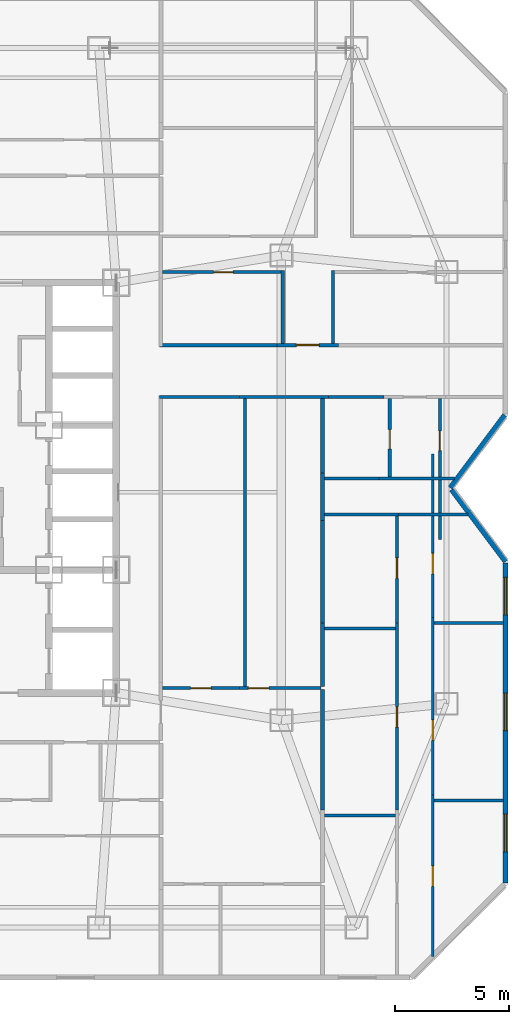
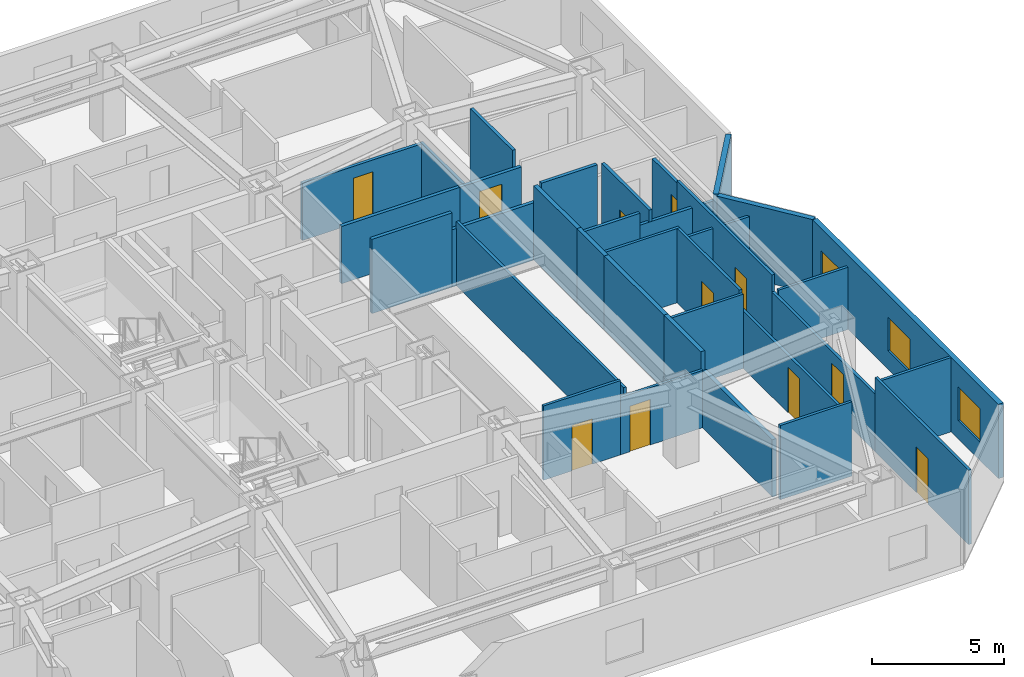
# One storey, part 9 of 13: 34 walls, 11 doors, 3 windows, 14 openings.
"""IFC4 building model written with IfcOpenShell, lengths in metres."""

from ifc_helpers import new_model, si_unit, direction, frame, frame_2d, origin, place, context, subcontext, project, spatial, rectangle, extrude, material, layer, layer_set, type_object, element, fill, save


model = new_model("IFC4")

# Units and contexts
model_context = context("Model", 3, precision=1e-05, world=origin(), true_north=direction((0.0, 1.0)))
body_context = subcontext(model_context, "Body", "Model", "MODEL_VIEW")
ifc_project = project(units=[si_unit("LENGTHUNIT", "METRE"), si_unit("AREAUNIT", "SQUARE_METRE"), si_unit("VOLUMEUNIT", "CUBIC_METRE"), si_unit("PLANEANGLEUNIT", "RADIAN"), si_unit("MASSUNIT", "GRAM", prefix="KILO")], contexts=[model_context])

# Site, building, storey
site_placement = place(None, origin())
site = spatial("IfcSite", under=ifc_project, at=site_placement, CompositionType="ELEMENT")
building_placement = place(site_placement, origin())
building = spatial("IfcBuilding", under=site, at=building_placement, Name="Khamvora Tower", CompositionType="ELEMENT")
storey_placement = place(building_placement, frame((0.0, 0.0, 105.550048828125)))
storey = spatial("IfcBuildingStorey", under=building, at=storey_placement, Name="L26", CompositionType="ELEMENT", Elevation=105.550048828125)

# Walls
ifc_material_1 = material(Name="Fire-Rated Drywall and Steel Stud", Category="steel")
ifc_layer_1 = layer(ifc_material_1, 0.14990234375)
ifc_layer_set_1 = layer_set([ifc_layer_1], Name="Fire-Rated Drywall and Steel Stud")
wall_type_1 = type_object("IfcWallType", Name="WAL-CORR-150", PredefinedType="STANDARD", material=ifc_layer_set_1)
wall_1_placement = place(storey_placement, frame((48.708984375, 31.985107421875, 0.0), z_axis=(0.0, 0.0, 1.0), x_axis=(-1.0, 0.0, 0.0)))
element("IfcWall", 1, at=wall_1_placement, inside=storey, type_object=wall_type_1, Name="L26 interior partition wall 034", PredefinedType="STANDARD", context=body_context, shape_type="SweptSolid", body=[
    extrude(rectangle(XDim=3.906005859375, YDim=0.14990234375, at=frame_2d((1.953125, 0.0))), origin(), (0.0, 0.0, 1.0), 2.64697265625),
])
wall_2_placement = place(storey_placement, frame((44.802978515625, 31.985107421875, 0.0), z_axis=(0.0, 0.0, 1.0), x_axis=(-1.0, 0.0, 0.0)))
element("IfcWall", 2, at=wall_2_placement, inside=storey, type_object=wall_type_1, Name="L26 interior partition wall 035", PredefinedType="STANDARD", context=body_context, shape_type="SweptSolid", body=[
    extrude(rectangle(XDim=3.5029296875, YDim=0.14990234375, at=frame_2d((1.75146484375, 0.0))), origin(), (0.0, 0.0, 1.0), 3.429931640625),
])
wall_3_placement = place(storey_placement, frame((51.157958984375, 31.985107421875, 0.0), z_axis=(0.0, 0.0, 1.0), x_axis=(-1.0, 0.0, 0.0)))
element("IfcWall", 3, at=wall_3_placement, inside=storey, type_object=wall_type_1, Name="L26 interior partition wall 039", PredefinedType="STANDARD", context=body_context, shape_type="SweptSolid", body=[
    extrude(rectangle(XDim=2.448974609375, YDim=0.14990234375, at=frame_2d((1.224609375, 0.0))), origin(), (0.0, 0.0, 1.0), 3.429931640625),
])

# Wall, opening, door
wall_4_placement = place(storey_placement, frame((46.4609375, 34.264892578125, 0.0), z_axis=(0.0, 0.0, 1.0), x_axis=(1.0, 0.0, 0.0)))
wall_4 = element("IfcWall", 4, at=wall_4_placement, inside=storey, type_object=wall_type_1, Name="L26 interior partition wall 041", PredefinedType="STANDARD", context=body_context, shape_type="SweptSolid", body=[
    extrude(rectangle(XDim=2.697998046875, YDim=0.14990234375, at=frame_2d((1.34912109375, 0.0))), origin(), (0.0, 0.0, 1.0), 2.64697265625),
])
opening_1_placement = place(wall_4_placement, frame((0.84912109375, 0.0, 0.0)))
opening_1 = element("IfcOpeningElement", 5, at=opening_1_placement, cuts=wall_4, Name="Opening D-U1", PredefinedType="OPENING", context=body_context, shape_type="SweptSolid", body=[
    extrude(rectangle(XDim=1.0, YDim=2.14990234375, at=frame_2d((0.5, 1.074951171875))), frame((0.0, 0.0849609375, 0.0), z_axis=(0.0, -1.0, 0.0), x_axis=(1.0, 0.0, 0.0)), (0.0, 0.0, 1.0), 0.169921875),
])
ifc_material_2 = material(Name="Powder-Coated Steel and Hardwood Leaf", Category="steel")
door_type_1 = type_object("IfcDoorType", Name="DOR-UNIT-1000", OperationType="NOTDEFINED", PredefinedType="DOOR", material=ifc_material_2)
door_1_placement = place(opening_1_placement, origin())
door_1 = element("IfcDoor", 6, at=door_1_placement, inside=storey, type_object=door_type_1, Name="L26 interior door COR-26ECH", OperationType="SINGLE_SWING_RIGHT", OverallHeight=2.14990234375, OverallWidth=1.0, PredefinedType="DOOR", context=body_context, shape_type="SweptSolid", body=[
    extrude(rectangle(XDim=1.0, YDim=2.14990234375, at=frame_2d((0.5, 1.074951171875))), frame((0.0, 0.02490234375, 0.0), z_axis=(0.0, -1.0, 0.0), x_axis=(1.0, 0.0, 0.0)), (0.0, 0.0, 1.0), 0.050048828125),
])
fill(opening_1, door_1)

# Walls
wall_5_placement = place(storey_placement, frame((41.300048828125, 34.264892578125, 0.0), z_axis=(0.0, 0.0, 1.0), x_axis=(1.0, 0.0, 0.0)))
element("IfcWall", 7, at=wall_5_placement, inside=storey, type_object=wall_type_1, Name="L26 interior partition wall 043", PredefinedType="STANDARD", context=body_context, shape_type="SweptSolid", body=[
    extrude(rectangle(XDim=5.160888671875, YDim=0.14990234375, at=frame_2d((2.58056640625, 0.0))), origin(), (0.0, 0.0, 1.0), 2.64697265625),
])
ifc_material_3 = material(Name="Acoustic Double-Stud Fire Wall", Category="gypsum")
ifc_layer_2 = layer(ifc_material_3, 0.179931640625)
ifc_layer_set_2 = layer_set([ifc_layer_2], Name="Acoustic Double-Stud Fire Wall")
wall_type_2 = type_object("IfcWallType", Name="WAL-CORR-180", PredefinedType="STANDARD", material=ifc_layer_set_2)
wall_6_placement = place(storey_placement, frame((48.4599609375, 19.14501953125, 0.0), z_axis=(0.0, 0.0, 1.0), x_axis=(0.0, -1.0, 0.0)))
element("IfcWall", 8, at=wall_6_placement, inside=storey, type_object=wall_type_2, Name="L26 interior partition wall 136", PredefinedType="STANDARD", context=body_context, shape_type="SweptSolid", body=[
    extrude(rectangle(XDim=5.27392578125, YDim=0.179931640625, at=frame_2d((2.636962890625, 0.0))), origin(), (0.0, 0.0, 1.0), 2.64697265625),
])
wall_7_placement = place(storey_placement, frame((48.4599609375, 28.654052734375, 0.0), z_axis=(0.0, 0.0, 1.0), x_axis=(0.0, -1.0, 0.0)))
element("IfcWall", 9, at=wall_7_placement, inside=storey, type_object=wall_type_2, Name="L26 interior partition wall 138", PredefinedType="STANDARD", context=body_context, shape_type="SweptSolid", body=[
    extrude(rectangle(XDim=2.078125, YDim=0.179931640625, at=frame_2d((1.0390625, 0.0))), origin(), (0.0, 0.0, 1.0), 3.429931640625),
])
wall_8_placement = place(storey_placement, frame((48.4599609375, 31.91796875, 0.0), z_axis=(0.0, 0.0, 1.0), x_axis=(0.0, -1.0, 0.0)))
element("IfcWall", 10, at=wall_8_placement, inside=storey, type_object=wall_type_2, Name="L26 interior partition wall 139", PredefinedType="STANDARD", context=body_context, shape_type="SweptSolid", body=[
    extrude(rectangle(XDim=3.263916015625, YDim=0.179931640625, at=frame_2d((1.6318359375, 0.0))), origin(), (0.0, 0.0, 1.0), 3.429931640625),
])
wall_9_placement = place(storey_placement, frame((48.4599609375, 22.070068359375, 0.0), z_axis=(0.0, 0.0, 1.0), x_axis=(0.0, -1.0, 0.0)))
element("IfcWall", 11, at=wall_9_placement, inside=storey, type_object=wall_type_2, Name="L26 interior partition wall 140", PredefinedType="STANDARD", context=body_context, shape_type="SweptSolid", body=[
    extrude(rectangle(XDim=2.795166015625, YDim=0.179931640625, at=frame_2d((1.3974609375, 0.0))), origin(), (0.0, 0.0, 1.0), 3.429931640625),
])
wall_10_placement = place(storey_placement, frame((48.4599609375, 26.575927734375, 0.0), z_axis=(0.0, 0.0, 1.0), x_axis=(0.0, -1.0, 0.0)))
element("IfcWall", 12, at=wall_10_placement, inside=storey, type_object=wall_type_2, Name="L26 interior partition wall 141", PredefinedType="STANDARD", context=body_context, shape_type="SweptSolid", body=[
    extrude(rectangle(XDim=4.505859375, YDim=0.179931640625, at=frame_2d((2.2529296875, 0.0))), origin(), (0.0, 0.0, 1.0), 3.429931640625),
])
ifc_material_4 = material(Name="Precast concrete C40/50", Category="concrete")
ifc_layer_3 = layer(ifc_material_4, 0.219970703125)
ifc_layer_set_3 = layer_set([ifc_layer_3], Name="Precast concrete C40/50")
wall_type_3 = type_object("IfcWallType", Name="WAL-EXT-220", PredefinedType="STANDARD", material=ifc_layer_set_3)
wall_11_placement = place(storey_placement, frame((56.4560546875, 31.19091796875, 0.0), z_axis=(0.0, 0.0, 1.0), x_axis=(-0.600137081448, -0.799897170561, 0.0)))
element("IfcWall", 13, at=wall_11_placement, inside=storey, type_object=wall_type_3, Name="L26 exterior facade wall 10.1", PredefinedType="STANDARD", context=body_context, shape_type="SweptSolid", body=[
    extrude(rectangle(XDim=3.9892578125, YDim=0.219970703125, at=frame_2d((1.99462890625, 0.0))), origin(), (0.0, 0.0, 1.0), 3.429931640625),
])
wall_12_placement = place(storey_placement, frame((54.118896484375, 27.924072265625, 0.0), z_axis=(0.0, 0.0, 1.0), x_axis=(0.600039540588, -0.799970343032, 0.0)))
element("IfcWall", 14, at=wall_12_placement, inside=storey, type_object=wall_type_3, Name="L26 exterior facade wall 11.1", PredefinedType="STANDARD", context=body_context, shape_type="SweptSolid", body=[
    extrude(rectangle(XDim=3.95166015625, YDim=0.219970703125, at=frame_2d((1.975830078125, 0.0))), origin(), (0.0, 0.0, 1.0), 3.429931640625),
])

# Wall, openings, windows
wall_13_placement = place(storey_placement, frame((56.489990234375, 24.70703125, 0.0), z_axis=(0.0, 0.0, 1.0), x_axis=(0.0, -1.0, 0.0)))
wall_13 = element("IfcWall", 15, at=wall_13_placement, inside=storey, type_object=wall_type_3, Name="L26 exterior facade wall 12.1", PredefinedType="STANDARD", context=body_context, shape_type="SweptSolid", body=[
    extrude(rectangle(XDim=14.06103515625, YDim=0.219970703125, at=frame_2d((7.030517578125, 0.0))), origin(), (0.0, 0.0, 1.0), 3.429931640625),
])
opening_2_placement = place(wall_13_placement, frame((11.030029296875, 0.0, 0.85009765625)))
opening_2 = element("IfcOpeningElement", 16, at=opening_2_placement, cuts=wall_13, Name="Opening WN-06", PredefinedType="OPENING", context=body_context, shape_type="SweptSolid", body=[
    extrude(rectangle(XDim=1.64990234375, YDim=1.550048828125, at=frame_2d((0.824951171875, 0.77490234375))), frame((0.0, 0.119873046875, 0.0), z_axis=(0.0, -1.0, 0.0), x_axis=(1.0, 0.0, 0.0)), (0.0, 0.0, 1.0), 0.239990234375),
])
opening_3_placement = place(wall_13_placement, frame((5.712890625, 0.0, 0.85009765625)))
opening_3 = element("IfcOpeningElement", 17, at=opening_3_placement, cuts=wall_13, Name="Opening WN-06", PredefinedType="OPENING", context=body_context, shape_type="SweptSolid", body=[
    extrude(rectangle(XDim=1.64990234375, YDim=1.550048828125, at=frame_2d((0.824951171875, 0.77490234375))), frame((0.0, 0.119873046875, 0.0), z_axis=(0.0, -1.0, 0.0), x_axis=(1.0, 0.0, 0.0)), (0.0, 0.0, 1.0), 0.239990234375),
])
opening_4_placement = place(wall_13_placement, frame((0.637939453125, 0.0, 0.85009765625)))
opening_4 = element("IfcOpeningElement", 18, at=opening_4_placement, cuts=wall_13, Name="Opening WN-06", PredefinedType="OPENING", context=body_context, shape_type="SweptSolid", body=[
    extrude(rectangle(XDim=1.64990234375, YDim=1.550048828125, at=frame_2d((0.824951171875, 0.77490234375))), frame((0.0, 0.119873046875, 0.0), z_axis=(0.0, -1.0, 0.0), x_axis=(1.0, 0.0, 0.0)), (0.0, 0.0, 1.0), 0.239990234375),
])
ifc_material_5 = material(Name="Low-E Laminated Double Glazing", Category="glass")
window_type = type_object("IfcWindowType", Name="WIN-VIS-1650x1550", PartitioningType="SINGLE_PANEL", PredefinedType="WINDOW", material=ifc_material_5)
window_1_placement = place(opening_2_placement, origin())
window_1 = element("IfcWindow", 19, at=window_1_placement, inside=storey, type_object=window_type, Name="L26 vision window 12.1.01", OverallHeight=1.550048828125, OverallWidth=1.64990234375, PartitioningType="SINGLE_PANEL", PredefinedType="WINDOW", context=body_context, shape_type="SweptSolid", body=[
    extrude(rectangle(XDim=1.64990234375, YDim=1.550048828125, at=frame_2d((0.824951171875, 0.77490234375))), frame((0.0, 0.030029296875, 0.0), z_axis=(0.0, -1.0, 0.0), x_axis=(1.0, 0.0, 0.0)), (0.0, 0.0, 1.0), 0.06005859375),
])
fill(opening_2, window_1)
window_2_placement = place(opening_3_placement, origin())
window_2 = element("IfcWindow", 20, at=window_2_placement, inside=storey, type_object=window_type, Name="L26 vision window 12.1.02", OverallHeight=1.550048828125, OverallWidth=1.64990234375, PartitioningType="SINGLE_PANEL", PredefinedType="WINDOW", context=body_context, shape_type="SweptSolid", body=[
    extrude(rectangle(XDim=1.64990234375, YDim=1.550048828125, at=frame_2d((0.824951171875, 0.77490234375))), frame((0.0, 0.030029296875, 0.0), z_axis=(0.0, -1.0, 0.0), x_axis=(1.0, 0.0, 0.0)), (0.0, 0.0, 1.0), 0.06005859375),
])
fill(opening_3, window_2)
window_3_placement = place(opening_4_placement, origin())
window_3 = element("IfcWindow", 21, at=window_3_placement, inside=storey, type_object=window_type, Name="L26 vision window 12.1.03", OverallHeight=1.550048828125, OverallWidth=1.64990234375, PartitioningType="SINGLE_PANEL", PredefinedType="WINDOW", context=body_context, shape_type="SweptSolid", body=[
    extrude(rectangle(XDim=1.64990234375, YDim=1.550048828125, at=frame_2d((0.824951171875, 0.77490234375))), frame((0.0, 0.030029296875, 0.0), z_axis=(0.0, -1.0, 0.0), x_axis=(1.0, 0.0, 0.0)), (0.0, 0.0, 1.0), 0.06005859375),
])
fill(opening_4, window_3)

# Wall, opening, door
ifc_material_6 = material(Name="Gypsum Plasterboard Partition", Category="gypsum")
ifc_layer_4 = layer(ifc_material_6, 0.1201171875)
ifc_layer_set_4 = layer_set([ifc_layer_4], Name="Gypsum Plasterboard Partition")
wall_type_4 = type_object("IfcWallType", Name="WAL-PART-120", PredefinedType="PARTITIONING", material=ifc_layer_set_4)
wall_14_placement = place(storey_placement, frame((44.802978515625, 19.2099609375, 0.0), z_axis=(0.0, 0.0, 1.0), x_axis=(1.0, 0.0, 0.0)))
wall_14 = element("IfcWall", 22, at=wall_14_placement, inside=storey, type_object=wall_type_4, Name="L26 interior partition wall 131", PredefinedType="PARTITIONING", context=body_context, shape_type="SweptSolid", body=[
    extrude(rectangle(XDim=3.592041015625, YDim=0.1201171875, at=frame_2d((1.7958984375, 0.0))), origin(), (0.0, 0.0, 1.0), 2.64697265625),
])
opening_5_placement = place(wall_14_placement, frame((0.39697265625, 0.0, 0.0)))
opening_5 = element("IfcOpeningElement", 23, at=opening_5_placement, cuts=wall_14, Name="Opening D-RM1", PredefinedType="OPENING", context=body_context, shape_type="SweptSolid", body=[
    extrude(rectangle(XDim=0.89990234375, YDim=2.10009765625, at=frame_2d((0.449951171875, 1.050048828125))), frame((0.0, 0.070068359375, 0.0), z_axis=(0.0, -1.0, 0.0), x_axis=(1.0, 0.0, 0.0)), (0.0, 0.0, 1.0), 0.14013671875),
])
door_type_2 = type_object("IfcDoorType", Name="DOR-ROOM-900", OperationType="NOTDEFINED", PredefinedType="DOOR", material=ifc_material_2)
door_2_placement = place(opening_5_placement, origin())
door_2 = element("IfcDoor", 24, at=door_2_placement, inside=storey, type_object=door_type_2, Name="L26 interior door 26EAH-26EAR2", OperationType="SINGLE_SWING_LEFT", OverallHeight=2.10009765625, OverallWidth=0.89990234375, PredefinedType="DOOR", context=body_context, shape_type="SweptSolid", body=[
    extrude(rectangle(XDim=0.89990234375, YDim=2.10009765625, at=frame_2d((0.449951171875, 1.050048828125))), frame((0.0, 0.02490234375, 0.0), z_axis=(0.0, -1.0, 0.0), x_axis=(1.0, 0.0, 0.0)), (0.0, 0.0, 1.0), 0.050048828125),
])
fill(opening_5, door_2)

wall_15_placement = place(storey_placement, frame((41.431884765625, 19.2099609375, 0.0), z_axis=(0.0, 0.0, 1.0), x_axis=(1.0, 0.0, 0.0)))
wall_15 = element("IfcWall", 25, at=wall_15_placement, inside=storey, type_object=wall_type_4, Name="L26 interior partition wall 134", PredefinedType="PARTITIONING", context=body_context, shape_type="SweptSolid", body=[
    extrude(rectangle(XDim=3.37109375, YDim=0.1201171875, at=frame_2d((1.685546875, 0.0))), origin(), (0.0, 0.0, 1.0), 3.429931640625),
])
opening_6_placement = place(wall_15_placement, frame((1.236083984375, 0.0, 0.0)))
opening_6 = element("IfcOpeningElement", 26, at=opening_6_placement, cuts=wall_15, Name="Opening D-RM1", PredefinedType="OPENING", context=body_context, shape_type="SweptSolid", body=[
    extrude(rectangle(XDim=0.89990234375, YDim=2.10009765625, at=frame_2d((0.449951171875, 1.050048828125))), frame((0.0, 0.070068359375, 0.0), z_axis=(0.0, -1.0, 0.0), x_axis=(1.0, 0.0, 0.0)), (0.0, 0.0, 1.0), 0.14013671875),
])
door_3_placement = place(opening_6_placement, origin())
door_3 = element("IfcDoor", 27, at=door_3_placement, inside=storey, type_object=door_type_2, Name="L26 interior door 26EAH-26EAR1", OperationType="SINGLE_SWING_RIGHT", OverallHeight=2.10009765625, OverallWidth=0.89990234375, PredefinedType="DOOR", context=body_context, shape_type="SweptSolid", body=[
    extrude(rectangle(XDim=0.89990234375, YDim=2.10009765625, at=frame_2d((0.449951171875, 1.050048828125))), frame((0.0, 0.02490234375, 0.0), z_axis=(0.0, -1.0, 0.0), x_axis=(1.0, 0.0, 0.0)), (0.0, 0.0, 1.0), 0.050048828125),
])
fill(opening_6, door_3)

# Wall
wall_16_placement = place(storey_placement, frame((45.052001953125, 19.263916015625, 0.0), z_axis=(0.0, 0.0, 1.0), x_axis=(0.0, 1.0, 0.0)))
element("IfcWall", 28, at=wall_16_placement, inside=storey, type_object=wall_type_4, Name="L26 interior partition wall 137", PredefinedType="PARTITIONING", context=body_context, shape_type="SweptSolid", body=[
    extrude(rectangle(XDim=12.654052734375, YDim=0.1201171875, at=frame_2d((6.3271484375, 0.0))), origin(), (0.0, 0.0, 1.0), 2.9609375),
])

# Wall, opening, door
wall_17_placement = place(storey_placement, frame((51.722900390625, 13.87109375, 0.0), z_axis=(0.0, 0.0, 1.0), x_axis=(0.0, 1.0, 0.0)))
wall_17 = element("IfcWall", 29, at=wall_17_placement, inside=storey, type_object=wall_type_4, Name="L26 interior partition wall 149", PredefinedType="PARTITIONING", context=body_context, shape_type="SweptSolid", body=[
    extrude(rectangle(XDim=8.198974609375, YDim=0.1201171875, at=frame_2d((4.099609375, 0.0))), origin(), (0.0, 0.0, 1.0), 2.64697265625),
])
opening_7_placement = place(wall_17_placement, frame((3.6279296875, 0.0, 0.0)))
opening_7 = element("IfcOpeningElement", 30, at=opening_7_placement, cuts=wall_17, Name="Opening D-RM1", PredefinedType="OPENING", context=body_context, shape_type="SweptSolid", body=[
    extrude(rectangle(XDim=0.89990234375, YDim=2.10009765625, at=frame_2d((0.449951171875, 1.050048828125))), frame((0.0, 0.070068359375, 0.0), z_axis=(0.0, -1.0, 0.0), x_axis=(1.0, 0.0, 0.0)), (0.0, 0.0, 1.0), 0.14013671875),
])
door_4_placement = place(opening_7_placement, origin())
door_4 = element("IfcDoor", 31, at=door_4_placement, inside=storey, type_object=door_type_2, Name="L26 interior door 26EBH-26EBR2", OperationType="SINGLE_SWING_LEFT", OverallHeight=2.10009765625, OverallWidth=0.89990234375, PredefinedType="DOOR", context=body_context, shape_type="SweptSolid", body=[
    extrude(rectangle(XDim=0.89990234375, YDim=2.10009765625, at=frame_2d((0.449951171875, 1.050048828125))), frame((0.0, 0.02490234375, 0.0), z_axis=(0.0, -1.0, 0.0), x_axis=(1.0, 0.0, 0.0)), (0.0, 0.0, 1.0), 0.050048828125),
])
fill(opening_7, door_4)

wall_18_placement = place(storey_placement, frame((51.722900390625, 22.070068359375, 0.0), z_axis=(0.0, 0.0, 1.0), x_axis=(0.0, 1.0, 0.0)))
wall_18 = element("IfcWall", 32, at=wall_18_placement, inside=storey, type_object=wall_type_4, Name="L26 interior partition wall 150", PredefinedType="PARTITIONING", context=body_context, shape_type="SweptSolid", body=[
    extrude(rectangle(XDim=4.81982421875, YDim=0.1201171875, at=frame_2d((2.409912109375, 0.0))), origin(), (0.0, 0.0, 1.0), 3.429931640625),
])
opening_8_placement = place(wall_18_placement, frame((1.9599609375, 0.0, 0.0)))
opening_8 = element("IfcOpeningElement", 33, at=opening_8_placement, cuts=wall_18, Name="Opening D-RM1", PredefinedType="OPENING", context=body_context, shape_type="SweptSolid", body=[
    extrude(rectangle(XDim=0.89990234375, YDim=2.10009765625, at=frame_2d((0.449951171875, 1.050048828125))), frame((0.0, 0.070068359375, 0.0), z_axis=(0.0, -1.0, 0.0), x_axis=(1.0, 0.0, 0.0)), (0.0, 0.0, 1.0), 0.14013671875),
])
door_5_placement = place(opening_8_placement, origin())
door_5 = element("IfcDoor", 34, at=door_5_placement, inside=storey, type_object=door_type_2, Name="L26 interior door 26EBH-26EBR3", OperationType="SINGLE_SWING_RIGHT", OverallHeight=2.10009765625, OverallWidth=0.89990234375, PredefinedType="DOOR", context=body_context, shape_type="SweptSolid", body=[
    extrude(rectangle(XDim=0.89990234375, YDim=2.10009765625, at=frame_2d((0.449951171875, 1.050048828125))), frame((0.0, 0.02490234375, 0.0), z_axis=(0.0, -1.0, 0.0), x_axis=(1.0, 0.0, 0.0)), (0.0, 0.0, 1.0), 0.050048828125),
])
fill(opening_8, door_5)

# Wall
wall_19_placement = place(storey_placement, frame((51.7880859375, 26.824951171875, 0.0), z_axis=(0.0, 0.0, 1.0), x_axis=(-1.0, 0.0, 0.0)))
element("IfcWall", 35, at=wall_19_placement, inside=storey, type_object=wall_type_4, Name="L26 interior partition wall 151", PredefinedType="PARTITIONING", context=body_context, shape_type="SweptSolid", body=[
    extrude(rectangle(XDim=3.24609375, YDim=0.1201171875, at=frame_2d((1.623046875, 0.0))), origin(), (0.0, 0.0, 1.0), 3.429931640625),
])

# Wall, opening, door
wall_20_placement = place(storey_placement, frame((53.2919921875, 14.52197265625, 0.0), z_axis=(0.0, 0.0, 1.0), x_axis=(0.0, -1.0, 0.0)))
wall_20 = element("IfcWall", 36, at=wall_20_placement, inside=storey, type_object=wall_type_4, Name="L26 interior partition wall 152", PredefinedType="PARTITIONING", context=body_context, shape_type="SweptSolid", body=[
    extrude(rectangle(XDim=7.0830078125, YDim=0.1201171875, at=frame_2d((3.54150390625, 0.0))), origin(), (0.0, 0.0, 1.0), 3.429931640625),
])
opening_9_placement = place(wall_20_placement, frame((3.112060546875, 0.0, 0.0)))
opening_9 = element("IfcOpeningElement", 37, at=opening_9_placement, cuts=wall_20, Name="Opening D-RM1", PredefinedType="OPENING", context=body_context, shape_type="SweptSolid", body=[
    extrude(rectangle(XDim=0.89990234375, YDim=2.10009765625, at=frame_2d((0.449951171875, 1.050048828125))), frame((0.0, 0.070068359375, 0.0), z_axis=(0.0, -1.0, 0.0), x_axis=(1.0, 0.0, 0.0)), (0.0, 0.0, 1.0), 0.14013671875),
])
door_6_placement = place(opening_9_placement, origin())
door_6 = element("IfcDoor", 38, at=door_6_placement, inside=storey, type_object=door_type_2, Name="L26 interior door 26EBH-26EBR4", OperationType="SINGLE_SWING_LEFT", OverallHeight=2.10009765625, OverallWidth=0.89990234375, PredefinedType="DOOR", context=body_context, shape_type="SweptSolid", body=[
    extrude(rectangle(XDim=0.89990234375, YDim=2.10009765625, at=frame_2d((0.449951171875, 1.050048828125))), frame((0.0, 0.02490234375, 0.0), z_axis=(0.0, -1.0, 0.0), x_axis=(1.0, 0.0, 0.0)), (0.0, 0.0, 1.0), 0.050048828125),
])
fill(opening_9, door_6)

wall_21_placement = place(storey_placement, frame((53.2919921875, 22.31494140625, 0.0), z_axis=(0.0, 0.0, 1.0), x_axis=(0.0, -1.0, 0.0)))
wall_21 = element("IfcWall", 39, at=wall_21_placement, inside=storey, type_object=wall_type_4, Name="L26 interior partition wall 153", PredefinedType="PARTITIONING", context=body_context, shape_type="SweptSolid", body=[
    extrude(rectangle(XDim=7.79296875, YDim=0.1201171875, at=frame_2d((3.896484375, 0.0))), origin(), (0.0, 0.0, 1.0), 2.64697265625),
])
opening_10_placement = place(wall_21_placement, frame((4.5, 0.0, 0.0)))
opening_10 = element("IfcOpeningElement", 40, at=opening_10_placement, cuts=wall_21, Name="Opening D-RM1", PredefinedType="OPENING", context=body_context, shape_type="SweptSolid", body=[
    extrude(rectangle(XDim=0.89990234375, YDim=2.10009765625, at=frame_2d((0.449951171875, 1.050048828125))), frame((0.0, 0.070068359375, 0.0), z_axis=(0.0, -1.0, 0.0), x_axis=(1.0, 0.0, 0.0)), (0.0, 0.0, 1.0), 0.14013671875),
])
door_7_placement = place(opening_10_placement, origin())
door_7 = element("IfcDoor", 41, at=door_7_placement, inside=storey, type_object=door_type_2, Name="L26 interior door 26EBH-26EBR5", OperationType="SINGLE_SWING_RIGHT", OverallHeight=2.10009765625, OverallWidth=0.89990234375, PredefinedType="DOOR", context=body_context, shape_type="SweptSolid", body=[
    extrude(rectangle(XDim=0.89990234375, YDim=2.10009765625, at=frame_2d((0.449951171875, 1.050048828125))), frame((0.0, 0.02490234375, 0.0), z_axis=(0.0, -1.0, 0.0), x_axis=(1.0, 0.0, 0.0)), (0.0, 0.0, 1.0), 0.050048828125),
])
fill(opening_10, door_7)

# Wall
wall_22_placement = place(storey_placement, frame((54.83203125, 26.824951171875, 0.0), z_axis=(0.0, 0.0, 1.0), x_axis=(-1.0, 0.0, 0.0)))
element("IfcWall", 42, at=wall_22_placement, inside=storey, type_object=wall_type_4, Name="L26 interior partition wall 154", PredefinedType="PARTITIONING", context=body_context, shape_type="SweptSolid", body=[
    extrude(rectangle(XDim=3.0439453125, YDim=0.1201171875, at=frame_2d((1.52197265625, 0.0))), origin(), (0.0, 0.0, 1.0), 2.8759765625),
])

# Wall, opening, door
wall_23_placement = place(storey_placement, frame((53.2919921875, 29.489990234375, 0.0), z_axis=(0.0, 0.0, 1.0), x_axis=(0.0, -1.0, 0.0)))
wall_23 = element("IfcWall", 43, at=wall_23_placement, inside=storey, type_object=wall_type_4, Name="L26 interior partition wall 155", PredefinedType="PARTITIONING", context=body_context, shape_type="SweptSolid", body=[
    extrude(rectangle(XDim=7.175048828125, YDim=0.1201171875, at=frame_2d((3.58740234375, 0.0))), origin(), (0.0, 0.0, 1.0), 3.429931640625),
])
opening_11_placement = place(wall_23_placement, frame((4.365966796875, 0.0, 0.0)))
opening_11 = element("IfcOpeningElement", 44, at=opening_11_placement, cuts=wall_23, Name="Opening D-RM1", PredefinedType="OPENING", context=body_context, shape_type="SweptSolid", body=[
    extrude(rectangle(XDim=0.89990234375, YDim=2.10009765625, at=frame_2d((0.449951171875, 1.050048828125))), frame((0.0, 0.070068359375, 0.0), z_axis=(0.0, -1.0, 0.0), x_axis=(1.0, 0.0, 0.0)), (0.0, 0.0, 1.0), 0.14013671875),
])
door_8_placement = place(opening_11_placement, origin())
door_8 = element("IfcDoor", 45, at=door_8_placement, inside=storey, type_object=door_type_2, Name="L26 interior door 26EBH-26EBR6", OperationType="SINGLE_SWING_RIGHT", OverallHeight=2.10009765625, OverallWidth=0.89990234375, PredefinedType="DOOR", context=body_context, shape_type="SweptSolid", body=[
    extrude(rectangle(XDim=0.89990234375, YDim=2.10009765625, at=frame_2d((0.449951171875, 1.050048828125))), frame((0.0, 0.02490234375, 0.0), z_axis=(0.0, -1.0, 0.0), x_axis=(1.0, 0.0, 0.0)), (0.0, 0.0, 1.0), 0.050048828125),
])
fill(opening_11, door_8)

# Walls
for number, where, z_axis, x_axis, name in (
    (46, (48.5419921875, 13.6220703125, 0.0), (0.0, 0.0, 1.0), (1.0, 0.0, 0.0), "L26 interior partition wall 156"),
    (47, (48.5419921875, 21.821044921875, 0.0), (0.0, 0.0, 1.0), (1.0, 0.0, 0.0), "L26 interior partition wall 157"),
):
    element("IfcWall", number, at=place(storey_placement, frame(where, z_axis=z_axis, x_axis=x_axis)), inside=storey, type_object=wall_type_4, Name=name, PredefinedType="PARTITIONING", context=body_context, shape_type="SweptSolid", body=[
        extrude(rectangle(XDim=3.126953125, YDim=0.1201171875, at=frame_2d((1.5634765625, 0.0))), origin(), (0.0, 0.0, 1.0), 3.429931640625),
    ])
wall_24_placement = place(storey_placement, frame((53.345947265625, 14.27294921875, 0.0), z_axis=(0.0, 0.0, 1.0), x_axis=(1.0, 0.0, 0.0)))
element("IfcWall", 48, at=wall_24_placement, inside=storey, type_object=wall_type_4, Name="L26 interior partition wall 158", PredefinedType="PARTITIONING", context=body_context, shape_type="SweptSolid", body=[
    extrude(rectangle(XDim=3.0419921875, YDim=0.1201171875, at=frame_2d((1.52099609375, 0.0))), origin(), (0.0, 0.0, 1.0), 3.429931640625),
])
wall_25_placement = place(storey_placement, frame((53.345947265625, 22.06591796875, 0.0), z_axis=(0.0, 0.0, 1.0), x_axis=(1.0, 0.0, 0.0)))
element("IfcWall", 49, at=wall_25_placement, inside=storey, type_object=wall_type_4, Name="L26 interior partition wall 159", PredefinedType="PARTITIONING", context=body_context, shape_type="SweptSolid", body=[
    extrude(rectangle(XDim=3.0419921875, YDim=0.1201171875, at=frame_2d((1.52099609375, 0.0))), origin(), (0.0, 0.0, 1.0), 2.8759765625),
])

# Wall, opening, door
ifc_material_7 = material(Name="Moisture-Resistant Plasterboard Partition", Category="gypsum")
ifc_layer_5 = layer(ifc_material_7, 0.135009765625)
ifc_layer_set_5 = layer_set([ifc_layer_5], Name="Moisture-Resistant Plasterboard Partition")
wall_type_5 = type_object("IfcWallType", Name="WAL-WET-135", PredefinedType="PARTITIONING", material=ifc_layer_set_5)
wall_26_placement = place(storey_placement, frame((53.60791015625, 31.91796875, 0.0), z_axis=(0.0, 0.0, 1.0), x_axis=(0.0, -1.0, 0.0)))
wall_26 = element("IfcWall", 50, at=wall_26_placement, inside=storey, type_object=wall_type_5, Name="L26 interior partition wall 144", PredefinedType="PARTITIONING", context=body_context, shape_type="SweptSolid", body=[
    extrude(rectangle(XDim=6.177978515625, YDim=0.135009765625, at=frame_2d((3.0888671875, 0.0))), origin(), (0.0, 0.0, 1.0), 2.8759765625),
])
opening_12_placement = place(wall_26_placement, frame((1.43505859375, 0.0, 0.0)))
opening_12 = element("IfcOpeningElement", 51, at=opening_12_placement, cuts=wall_26, Name="Opening D-WC1", PredefinedType="OPENING", context=body_context, shape_type="SweptSolid", body=[
    extrude(rectangle(XDim=0.85009765625, YDim=2.10009765625, at=frame_2d((0.425048828125, 1.050048828125))), frame((0.0, 0.077392578125, 0.0), z_axis=(0.0, -1.0, 0.0), x_axis=(1.0, 0.0, 0.0)), (0.0, 0.0, 1.0), 0.155029296875),
])
door_type_3 = type_object("IfcDoorType", Name="DOR-WET-850", OperationType="NOTDEFINED", PredefinedType="DOOR", material=ifc_material_2)
door_9_placement = place(opening_12_placement, origin())
door_9 = element("IfcDoor", 52, at=door_9_placement, inside=storey, type_object=door_type_3, Name="L26 interior door 26EBH-26EBB", OperationType="SINGLE_SWING_LEFT", OverallHeight=2.10009765625, OverallWidth=0.85009765625, PredefinedType="DOOR", context=body_context, shape_type="SweptSolid", body=[
    extrude(rectangle(XDim=0.85009765625, YDim=2.10009765625, at=frame_2d((0.425048828125, 1.050048828125))), frame((0.0, 0.02490234375, 0.0), z_axis=(0.0, -1.0, 0.0), x_axis=(1.0, 0.0, 0.0)), (0.0, 0.0, 1.0), 0.050048828125),
])
fill(opening_12, door_9)

# Walls
wall_27_placement = place(storey_placement, frame((50.943115234375, 28.405029296875, 0.0), z_axis=(0.0, 0.0, 1.0), x_axis=(1.0, 0.0, 0.0)))
element("IfcWall", 53, at=wall_27_placement, inside=storey, type_object=wall_type_5, Name="L26 interior partition wall 145", PredefinedType="PARTITIONING", context=body_context, shape_type="SweptSolid", body=[
    extrude(rectangle(XDim=3.310791015625, YDim=0.135009765625, at=frame_2d((1.6552734375, 0.0))), origin(), (0.0, 0.0, 1.0), 2.8759765625),
])
wall_28_placement = place(storey_placement, frame((48.5419921875, 28.405029296875, 0.0), z_axis=(0.0, 0.0, 1.0), x_axis=(1.0, 0.0, 0.0)))
element("IfcWall", 54, at=wall_28_placement, inside=storey, type_object=wall_type_5, Name="L26 interior partition wall 146", PredefinedType="PARTITIONING", context=body_context, shape_type="SweptSolid", body=[
    extrude(rectangle(XDim=2.401123046875, YDim=0.135009765625, at=frame_2d((1.20068359375, 0.0))), origin(), (0.0, 0.0, 1.0), 3.429931640625),
])

# Wall, opening, door
wall_29_placement = place(storey_placement, frame((51.406982421875, 28.340087890625, 0.0), z_axis=(0.0, 0.0, 1.0), x_axis=(0.0, 1.0, 0.0)))
wall_29 = element("IfcWall", 55, at=wall_29_placement, inside=storey, type_object=wall_type_5, Name="L26 interior partition wall 147", PredefinedType="PARTITIONING", context=body_context, shape_type="SweptSolid", body=[
    extrude(rectangle(XDim=3.577880859375, YDim=0.135009765625, at=frame_2d((1.7890625, 0.0))), origin(), (0.0, 0.0, 1.0), 3.429931640625),
])
opening_13_placement = place(wall_29_placement, frame((1.364013671875, 0.0, 0.0)))
opening_13 = element("IfcOpeningElement", 56, at=opening_13_placement, cuts=wall_29, Name="Opening D-RM2", PredefinedType="OPENING", context=body_context, shape_type="SweptSolid", body=[
    extrude(rectangle(XDim=0.85009765625, YDim=2.10009765625, at=frame_2d((0.425048828125, 1.050048828125))), frame((0.0, 0.077392578125, 0.0), z_axis=(0.0, -1.0, 0.0), x_axis=(1.0, 0.0, 0.0)), (0.0, 0.0, 1.0), 0.155029296875),
])
door_type_4 = type_object("IfcDoorType", Name="DOR-ROOM-850", OperationType="NOTDEFINED", PredefinedType="DOOR", material=ifc_material_2)
door_10_placement = place(opening_13_placement, origin())
door_10 = element("IfcDoor", 57, at=door_10_placement, inside=storey, type_object=door_type_4, Name="L26 interior door 26EBH-26EBK", OperationType="SINGLE_SWING_LEFT", OverallHeight=2.10009765625, OverallWidth=0.85009765625, PredefinedType="DOOR", context=body_context, shape_type="SweptSolid", body=[
    extrude(rectangle(XDim=0.85009765625, YDim=2.10009765625, at=frame_2d((0.425048828125, 1.050048828125))), frame((0.0, 0.02490234375, 0.0), z_axis=(0.0, -1.0, 0.0), x_axis=(1.0, 0.0, 0.0)), (0.0, 0.0, 1.0), 0.050048828125),
])
fill(opening_13, door_10)

# Wall
wall_30_placement = place(storey_placement, frame((46.7099609375, 34.33203125, 0.0), z_axis=(0.0, 0.0, 1.0), x_axis=(0.0, 1.0, 0.0)))
element("IfcWall", 58, at=wall_30_placement, inside=storey, type_object=wall_type_5, Name="L26 interior partition wall 160", PredefinedType="PARTITIONING", context=body_context, shape_type="SweptSolid", body=[
    extrude(rectangle(XDim=3.197021484375, YDim=0.135009765625, at=frame_2d((1.5986328125, 0.0))), origin(), (0.0, 0.0, 1.0), 2.64697265625),
])

# Wall, opening, door
wall_31_placement = place(storey_placement, frame((46.77490234375, 37.464111328125, 0.0), z_axis=(0.0, 0.0, 1.0), x_axis=(-1.0, 0.0, 0.0)))
wall_31 = element("IfcWall", 59, at=wall_31_placement, inside=storey, type_object=wall_type_5, Name="L26 interior partition wall 161", PredefinedType="PARTITIONING", context=body_context, shape_type="SweptSolid", body=[
    extrude(rectangle(XDim=5.343017578125, YDim=0.135009765625, at=frame_2d((2.67138671875, 0.0))), origin(), (0.0, 0.0, 1.0), 2.64697265625),
])
opening_14_placement = place(wall_31_placement, frame((2.2470703125, 0.0, 0.0)))
opening_14 = element("IfcOpeningElement", 60, at=opening_14_placement, cuts=wall_31, Name="Opening D-WC1", PredefinedType="OPENING", context=body_context, shape_type="SweptSolid", body=[
    extrude(rectangle(XDim=0.85009765625, YDim=2.10009765625, at=frame_2d((0.425048828125, 1.050048828125))), frame((0.0, 0.077392578125, 0.0), z_axis=(0.0, -1.0, 0.0), x_axis=(1.0, 0.0, 0.0)), (0.0, 0.0, 1.0), 0.155029296875),
])
door_11_placement = place(opening_14_placement, origin())
door_11 = element("IfcDoor", 61, at=door_11_placement, inside=storey, type_object=door_type_3, Name="L26 interior door 26ECH-26ECB", OperationType="SINGLE_SWING_LEFT", OverallHeight=2.10009765625, OverallWidth=0.85009765625, PredefinedType="DOOR", context=body_context, shape_type="SweptSolid", body=[
    extrude(rectangle(XDim=0.85009765625, YDim=2.10009765625, at=frame_2d((0.425048828125, 1.050048828125))), frame((0.0, 0.02490234375, 0.0), z_axis=(0.0, -1.0, 0.0), x_axis=(1.0, 0.0, 0.0)), (0.0, 0.0, 1.0), 0.050048828125),
])
fill(opening_14, door_11)

# Wall
wall_32_placement = place(storey_placement, frame((48.909912109375, 37.529052734375, 0.0), z_axis=(0.0, 0.0, 1.0), x_axis=(0.0, -1.0, 0.0)))
element("IfcWall", 62, at=wall_32_placement, inside=storey, type_object=wall_type_5, Name="L26 interior partition wall 163", PredefinedType="PARTITIONING", context=body_context, shape_type="SweptSolid", body=[
    extrude(rectangle(XDim=3.197021484375, YDim=0.135009765625, at=frame_2d((1.5986328125, 0.0))), origin(), (0.0, 0.0, 1.0), 3.429931640625),
])

save(model, "model.ifc")
